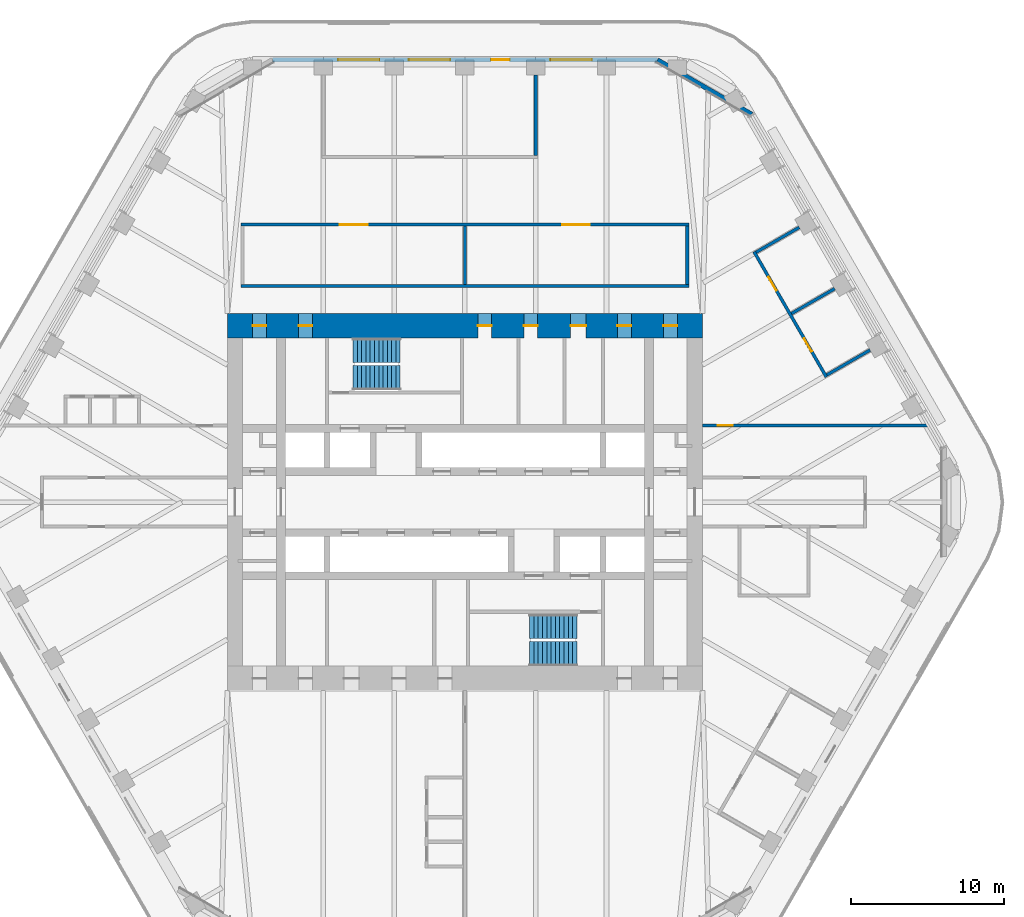
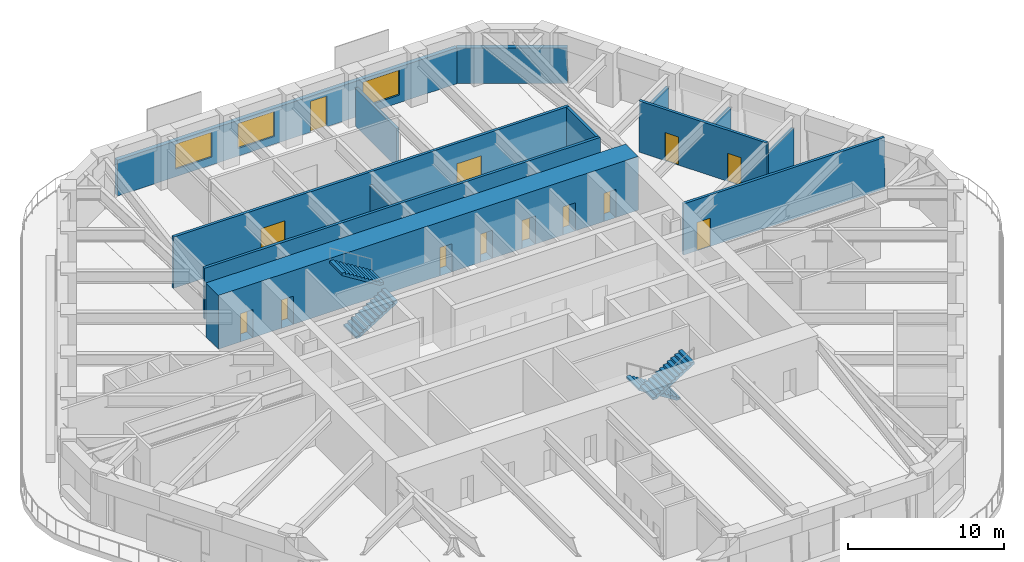
# One storey, part 17 of 20: 13 doors, 13 walls, 4 stair flights, 3 windows, 16 openings, 2 elements without a shape of their own.
"""IFC4 building model written with IfcOpenShell, lengths in metres."""

from ifc_helpers import new_model, si_unit, direction, frame, frame_2d, origin, place, context, subcontext, project, spatial, polyline, rectangle, outline, extrude, material, layer, layer_set, type_object, element, fill, aggregate, save


model = new_model("IFC4")

# Units and contexts
model_context = context("Model", 3, precision=1e-05, world=origin(), true_north=direction((0.0, 1.0)))
body_context = subcontext(model_context, "Body", "Model", "MODEL_VIEW")
ifc_project = project(units=[si_unit("LENGTHUNIT", "METRE"), si_unit("AREAUNIT", "SQUARE_METRE"), si_unit("VOLUMEUNIT", "CUBIC_METRE"), si_unit("PLANEANGLEUNIT", "RADIAN"), si_unit("MASSUNIT", "GRAM", prefix="KILO")], contexts=[model_context])

# Site, building, storey
site_placement = place(None, origin())
site = spatial("IfcSite", under=ifc_project, at=site_placement, CompositionType="ELEMENT")
building_placement = place(site_placement, origin())
building = spatial("IfcBuilding", under=site, at=building_placement, Name="Tarfa Lantern Tower", CompositionType="ELEMENT")
storey_placement = place(building_placement, frame((0.0, 0.0, 270.10009765625)))
storey = spatial("IfcBuildingStorey", under=building, at=storey_placement, Name="L61", CompositionType="ELEMENT", Elevation=270.10009765625)

# Wall
ifc_material_1 = material(Name="Limestone cladding on blockwork", Category="masonry")
ifc_layer_1 = layer(ifc_material_1, 0.300048828125)
ifc_layer_set_1 = layer_set([ifc_layer_1], Name="EW1 STONE-CLAD WALL 300")
wall_type_1 = type_object("IfcWallType", Name="EW1 STONE-CLAD WALL 300", PredefinedType="SOLIDWALL", material=ifc_layer_set_1)
wall_1_placement = place(storey_placement, frame((18.70654296875, 25.299072265625, 0.0), z_axis=(0.0, 0.0, 1.0), x_axis=(-0.866010973379, 0.500024993363, 0.0)))
element("IfcWall", 1, at=wall_1_placement, inside=storey, type_object=wall_type_1, Name="Garden wall NE-N", PredefinedType="SOLIDWALL", context=body_context, shape_type="SweptSolid", body=[
    extrude(rectangle(XDim=7.101806640625, YDim=0.300048828125, at=frame_2d((3.55078125, 0.0))), origin(), (0.0, 0.0, 1.0), 2.7998046875),
])

# Wall, openings, door, windows
wall_2_placement = place(storey_placement, frame((12.556396484375, 28.85009765625, 0.0), z_axis=(0.0, 0.0, 1.0), x_axis=(-1.0, 0.0, 0.0)))
wall_2 = element("IfcWall", 2, at=wall_2_placement, inside=storey, type_object=wall_type_1, Name="Stone wall N", PredefinedType="SOLIDWALL", context=body_context, shape_type="SweptSolid", body=[
    extrude(rectangle(XDim=25.11279296875, YDim=0.300048828125, at=frame_2d((12.556396484375, 0.0))), origin(), (0.0, 0.0, 1.0), 2.7998046875),
])
opening_1_placement = place(wall_2_placement, frame((4.2783203125, 0.0, 0.60009765625)))
opening_1 = element("IfcOpeningElement", 3, at=opening_1_placement, cuts=wall_2, Name="Opening W14", PredefinedType="OPENING", context=body_context, shape_type="SweptSolid", body=[
    extrude(rectangle(XDim=2.699951171875, YDim=1.949951171875, at=frame_2d((1.35009765625, 0.97509765625))), frame((0.0, 0.159912109375, 0.0), z_axis=(0.0, -1.0, 0.0), x_axis=(1.0, 0.0, 0.0)), (0.0, 0.0, 1.0), 0.320068359375),
])
opening_2_placement = place(wall_2_placement, frame((9.64697265625, 0.0, 0.0)))
opening_2 = element("IfcOpeningElement", 4, at=opening_2_placement, cuts=wall_2, Name="Opening D50", PredefinedType="OPENING", context=body_context, shape_type="SweptSolid", body=[
    extrude(rectangle(XDim=1.199951171875, YDim=2.39990234375, at=frame_2d((0.60009765625, 1.199951171875))), frame((0.0, 0.159912109375, 0.0), z_axis=(0.0, -1.0, 0.0), x_axis=(1.0, 0.0, 0.0)), (0.0, 0.0, 1.0), 0.320068359375),
])
opening_3_placement = place(wall_2_placement, frame((13.515869140625, 0.0, 0.60009765625)))
opening_3 = element("IfcOpeningElement", 5, at=opening_3_placement, cuts=wall_2, Name="Opening W14", PredefinedType="OPENING", context=body_context, shape_type="SweptSolid", body=[
    extrude(rectangle(XDim=2.699951171875, YDim=1.949951171875, at=frame_2d((1.35009765625, 0.97509765625))), frame((0.0, 0.159912109375, 0.0), z_axis=(0.0, -1.0, 0.0), x_axis=(1.0, 0.0, 0.0)), (0.0, 0.0, 1.0), 0.320068359375),
])
opening_4_placement = place(wall_2_placement, frame((18.134521484375, 0.0, 0.60009765625)))
opening_4 = element("IfcOpeningElement", 6, at=opening_4_placement, cuts=wall_2, Name="Opening W14", PredefinedType="OPENING", context=body_context, shape_type="SweptSolid", body=[
    extrude(rectangle(XDim=2.699951171875, YDim=1.949951171875, at=frame_2d((1.35009765625, 0.97509765625))), frame((0.0, 0.159912109375, 0.0), z_axis=(0.0, -1.0, 0.0), x_axis=(1.0, 0.0, 0.0)), (0.0, 0.0, 1.0), 0.320068359375),
])
ifc_material_2 = material(Name="Aluminium framed glazed door", Category="aluminium")
door_type_1 = type_object("IfcDoorType", Name="BE3 BALCONY DOOR 1200x2400", OperationType="SINGLE_SWING_RIGHT", PredefinedType="DOOR", material=ifc_material_2)
door_1_placement = place(opening_2_placement, origin())
door_1 = element("IfcDoor", 7, at=door_1_placement, inside=storey, type_object=door_type_1, Name="Balcony door N", OperationType="SINGLE_SWING_RIGHT", OverallHeight=2.39990234375, OverallWidth=1.199951171875, PredefinedType="DOOR", context=body_context, shape_type="SweptSolid", body=[
    extrude(rectangle(XDim=1.199951171875, YDim=2.39990234375, at=frame_2d((0.60009765625, 1.199951171875))), frame((0.0, 0.02490234375, 0.0), z_axis=(0.0, -1.0, 0.0), x_axis=(1.0, 0.0, 0.0)), (0.0, 0.0, 1.0), 0.050048828125),
])
fill(opening_2, door_1)
ifc_material_3 = material(Name="Aluminium frame, double glazed", Category="aluminium")
window_type = type_object("IfcWindowType", Name="W14 FULL-HEIGHT GLAZING 2700x1950", PartitioningType="SINGLE_PANEL", PredefinedType="WINDOW", material=ifc_material_3)
window_1_placement = place(opening_1_placement, origin())
window_1 = element("IfcWindow", 8, at=window_1_placement, inside=storey, type_object=window_type, Name="Window N 2", OverallHeight=1.949951171875, OverallWidth=2.699951171875, PartitioningType="SINGLE_PANEL", PredefinedType="WINDOW", context=body_context, shape_type="SweptSolid", body=[
    extrude(rectangle(XDim=2.699951171875, YDim=1.949951171875, at=frame_2d((1.35009765625, 0.97509765625))), frame((0.0, 0.030029296875, 0.0), z_axis=(0.0, -1.0, 0.0), x_axis=(1.0, 0.0, 0.0)), (0.0, 0.0, 1.0), 0.06005859375),
])
fill(opening_1, window_1)
window_2_placement = place(opening_3_placement, origin())
window_2 = element("IfcWindow", 9, at=window_2_placement, inside=storey, type_object=window_type, Name="Window N 4", OverallHeight=1.949951171875, OverallWidth=2.699951171875, PartitioningType="SINGLE_PANEL", PredefinedType="WINDOW", context=body_context, shape_type="SweptSolid", body=[
    extrude(rectangle(XDim=2.699951171875, YDim=1.949951171875, at=frame_2d((1.35009765625, 0.97509765625))), frame((0.0, 0.030029296875, 0.0), z_axis=(0.0, -1.0, 0.0), x_axis=(1.0, 0.0, 0.0)), (0.0, 0.0, 1.0), 0.06005859375),
])
fill(opening_3, window_2)
window_3_placement = place(opening_4_placement, origin())
window_3 = element("IfcWindow", 10, at=window_3_placement, inside=storey, type_object=window_type, Name="Window N 5", OverallHeight=1.949951171875, OverallWidth=2.699951171875, PartitioningType="SINGLE_PANEL", PredefinedType="WINDOW", context=body_context, shape_type="SweptSolid", body=[
    extrude(rectangle(XDim=2.699951171875, YDim=1.949951171875, at=frame_2d((1.35009765625, 0.97509765625))), frame((0.0, 0.030029296875, 0.0), z_axis=(0.0, -1.0, 0.0), x_axis=(1.0, 0.0, 0.0)), (0.0, 0.0, 1.0), 0.06005859375),
])
fill(opening_4, window_3)

# Wall
ifc_material_4 = material(Name="Gypsum board on steel studs", Category="steel")
ifc_layer_2 = layer(ifc_material_4, 0.2099609375)
ifc_layer_set_2 = layer_set([ifc_layer_2], Name="IW2 ACOUSTIC PARTITION 200")
wall_type_2 = type_object("IfcWallType", Name="IW2 ACOUSTIC PARTITION 200", PredefinedType="PARTITIONING", material=ifc_layer_set_2)
wall_3_placement = place(storey_placement, frame((-14.60009765625, 14.10009765625, 0.0), z_axis=(0.0, 0.0, 1.0), x_axis=(1.0, 0.0, 0.0)))
element("IfcWall", 11, at=wall_3_placement, inside=storey, type_object=wall_type_2, Name="Partition", PredefinedType="PARTITIONING", context=body_context, shape_type="SweptSolid", body=[
    extrude(rectangle(XDim=29.2001953125, YDim=0.199951171875, at=frame_2d((14.60009765625, 0.0))), origin(), (0.0, 0.0, 1.0), 4.0),
])

# Wall, openings, doors
wall_4_placement = place(storey_placement, frame((-14.60009765625, 18.10009765625, 0.0), z_axis=(0.0, 0.0, 1.0), x_axis=(1.0, 0.0, 0.0)))
wall_4 = element("IfcWall", 12, at=wall_4_placement, inside=storey, type_object=wall_type_2, Name="Partition", PredefinedType="PARTITIONING", context=body_context, shape_type="SweptSolid", body=[
    extrude(rectangle(XDim=29.2001953125, YDim=0.199951171875, at=frame_2d((14.60009765625, 0.0))), origin(), (0.0, 0.0, 1.0), 4.0),
])
opening_5_placement = place(wall_4_placement, frame((6.449951171875, 0.0, 0.0)))
opening_5 = element("IfcOpeningElement", 13, at=opening_5_placement, cuts=wall_4, Name="Opening D33", PredefinedType="OPENING", context=body_context, shape_type="SweptSolid", body=[
    extrude(rectangle(XDim=1.800048828125, YDim=2.39990234375, at=frame_2d((0.89990234375, 1.199951171875))), frame((0.0, 0.10986328125, 0.0), z_axis=(0.0, -1.0, 0.0), x_axis=(1.0, 0.0, 0.0)), (0.0, 0.0, 1.0), 0.219970703125),
])
opening_6_placement = place(wall_4_placement, frame((20.949951171875, 0.0, 0.0)))
opening_6 = element("IfcOpeningElement", 14, at=opening_6_placement, cuts=wall_4, Name="Opening D34", PredefinedType="OPENING", context=body_context, shape_type="SweptSolid", body=[
    extrude(rectangle(XDim=1.800048828125, YDim=2.39990234375, at=frame_2d((0.89990234375, 1.199951171875))), frame((0.0, 0.10986328125, 0.0), z_axis=(0.0, -1.0, 0.0), x_axis=(1.0, 0.0, 0.0)), (0.0, 0.0, 1.0), 0.219970703125),
])
ifc_material_5 = material(Name="Timber door", Category="wood")
door_type_2 = type_object("IfcDoorType", Name="DR2 ROOM DOOR 1800x2400", OperationType="DOUBLE_DOOR_SINGLE_SWING", PredefinedType="DOOR", material=ifc_material_5)
door_2_placement = place(opening_5_placement, frame((1.800048828125, 0.0, 0.0), z_axis=(0.0, 0.0, 1.0), x_axis=(-1.0, 0.0, 0.0)))
door_2 = element("IfcDoor", 15, at=door_2_placement, inside=storey, type_object=door_type_2, Name="Data room door", OperationType="DOUBLE_DOOR_SINGLE_SWING", OverallHeight=2.39990234375, OverallWidth=1.800048828125, PredefinedType="DOOR", context=body_context, shape_type="SweptSolid", body=[
    extrude(rectangle(XDim=1.800048828125, YDim=2.39990234375, at=frame_2d((0.89990234375, 1.199951171875))), frame((0.0, 0.02490234375, 0.0), z_axis=(0.0, -1.0, 0.0), x_axis=(1.0, 0.0, 0.0)), (0.0, 0.0, 1.0), 0.050048828125),
])
fill(opening_5, door_2)
door_3_placement = place(opening_6_placement, frame((1.800048828125, 0.0, 0.0), z_axis=(0.0, 0.0, 1.0), x_axis=(-1.0, 0.0, 0.0)))
door_3 = element("IfcDoor", 16, at=door_3_placement, inside=storey, type_object=door_type_2, Name="Meeting room door", OperationType="DOUBLE_DOOR_SINGLE_SWING", OverallHeight=2.39990234375, OverallWidth=1.800048828125, PredefinedType="DOOR", context=body_context, shape_type="SweptSolid", body=[
    extrude(rectangle(XDim=1.800048828125, YDim=2.39990234375, at=frame_2d((0.89990234375, 1.199951171875))), frame((0.0, 0.02490234375, 0.0), z_axis=(0.0, -1.0, 0.0), x_axis=(1.0, 0.0, 0.0)), (0.0, 0.0, 1.0), 0.050048828125),
])
fill(opening_6, door_3)

# Walls
wall_5_placement = place(storey_placement, frame((0.0, 14.199951171875, 0.0), z_axis=(0.0, 0.0, 1.0), x_axis=(0.0, 1.0, 0.0)))
element("IfcWall", 17, at=wall_5_placement, inside=storey, type_object=wall_type_2, Name="Partition", PredefinedType="PARTITIONING", context=body_context, shape_type="SweptSolid", body=[
    extrude(rectangle(XDim=3.800048828125, YDim=0.199951171875, at=frame_2d((1.89990234375, 0.0))), origin(), (0.0, 0.0, 1.0), 2.99169921875),
])
wall_6_placement = place(storey_placement, frame((14.5, 14.199951171875, 0.0), z_axis=(0.0, 0.0, 1.0), x_axis=(0.0, 1.0, 0.0)))
element("IfcWall", 18, at=wall_6_placement, inside=storey, type_object=wall_type_2, Name="Partition", PredefinedType="PARTITIONING", context=body_context, shape_type="SweptSolid", body=[
    extrude(rectangle(XDim=3.800048828125, YDim=0.199951171875, at=frame_2d((1.89990234375, 0.0))), origin(), (0.0, 0.0, 1.0), 4.0),
])
wall_7_placement = place(storey_placement, frame((4.618896484375, 22.60009765625, 0.0), z_axis=(0.0, 0.0, 1.0), x_axis=(0.0, 1.0, 0.0)))
element("IfcWall", 19, at=wall_7_placement, inside=storey, type_object=wall_type_2, Name="Partition", PredefinedType="PARTITIONING", context=body_context, shape_type="SweptSolid", body=[
    extrude(rectangle(XDim=5.25, YDim=0.199951171875, at=frame_2d((2.625, 0.0))), origin(), (0.0, 0.0, 1.0), 2.99169921875),
])

# Wall, openings, doors
wall_8_placement = place(storey_placement, frame((23.576904296875, 8.163330078125, 0.0), z_axis=(0.0, 0.0, 1.0), x_axis=(-0.499989672313, 0.866031366395, 0.0)))
wall_8 = element("IfcWall", 20, at=wall_8_placement, inside=storey, type_object=wall_type_2, Name="Partition", PredefinedType="PARTITIONING", context=body_context, shape_type="SweptSolid", body=[
    extrude(rectangle(XDim=9.437744140625, YDim=0.199951171875, at=frame_2d((4.71875, 0.0))), origin(), (0.0, 0.0, 1.0), 4.0),
])
opening_7_placement = place(wall_8_placement, frame((1.909423828125, 0.0, 0.0)))
opening_7 = element("IfcOpeningElement", 21, at=opening_7_placement, cuts=wall_8, Name="Opening D29", PredefinedType="OPENING", context=body_context, shape_type="SweptSolid", body=[
    extrude(rectangle(XDim=1.0, YDim=2.199951171875, at=frame_2d((0.5, 1.10009765625))), frame((0.0, 0.10986328125, 0.0), z_axis=(0.0, -1.0, 0.0), x_axis=(1.0, 0.0, 0.0)), (0.0, 0.0, 1.0), 0.219970703125),
])
opening_8_placement = place(wall_8_placement, frame((6.5283203125, 0.0, 0.0)))
opening_8 = element("IfcOpeningElement", 22, at=opening_8_placement, cuts=wall_8, Name="Opening D30", PredefinedType="OPENING", context=body_context, shape_type="SweptSolid", body=[
    extrude(rectangle(XDim=1.0, YDim=2.199951171875, at=frame_2d((0.5, 1.10009765625))), frame((0.0, 0.10986328125, 0.0), z_axis=(0.0, -1.0, 0.0), x_axis=(1.0, 0.0, 0.0)), (0.0, 0.0, 1.0), 0.219970703125),
])
door_type_3 = type_object("IfcDoorType", Name="DR1 ROOM DOOR 1000x2200", OperationType="SINGLE_SWING_LEFT", PredefinedType="DOOR", material=ifc_material_5)
door_4_placement = place(opening_7_placement, frame((1.0, 0.0, 0.0), z_axis=(0.0, 0.0, 1.0), x_axis=(-1.0, 0.0, 0.0)))
door_4 = element("IfcDoor", 23, at=door_4_placement, inside=storey, type_object=door_type_3, Name="Interview room door", OperationType="SINGLE_SWING_LEFT", OverallHeight=2.199951171875, OverallWidth=1.0, PredefinedType="DOOR", context=body_context, shape_type="SweptSolid", body=[
    extrude(rectangle(XDim=1.0, YDim=2.199951171875, at=frame_2d((0.5, 1.10009765625))), frame((0.0, 0.02490234375, 0.0), z_axis=(0.0, -1.0, 0.0), x_axis=(1.0, 0.0, 0.0)), (0.0, 0.0, 1.0), 0.050048828125),
])
fill(opening_7, door_4)
door_5_placement = place(opening_8_placement, frame((1.0, 0.0, 0.0), z_axis=(0.0, 0.0, 1.0), x_axis=(-1.0, 0.0, 0.0)))
door_5 = element("IfcDoor", 24, at=door_5_placement, inside=storey, type_object=door_type_3, Name="Interview room door", OperationType="SINGLE_SWING_RIGHT", OverallHeight=2.199951171875, OverallWidth=1.0, PredefinedType="DOOR", context=body_context, shape_type="SweptSolid", body=[
    extrude(rectangle(XDim=1.0, YDim=2.199951171875, at=frame_2d((0.5, 1.10009765625))), frame((0.0, 0.02490234375, 0.0), z_axis=(0.0, -1.0, 0.0), x_axis=(1.0, 0.0, 0.0)), (0.0, 0.0, 1.0), 0.050048828125),
])
fill(opening_8, door_5)

# Walls
for number, where, z_axis, x_axis, name in (
    (25, (23.613525390625, 8.300048828125, 0.0), (0.0, 0.0, 1.0), (0.866034226713, 0.499984717929, 0.0), "Partition"),
    (26, (21.30419921875, 12.300048828125, 0.0), (0.0, 0.0, 1.0), (0.866034226713, 0.499984717929, 0.0), "Partition"),
    (27, (18.994873046875, 16.300048828125, 0.0), (0.0, 0.0, 1.0), (0.866015446554, 0.500017246033, 0.0), "Partition"),
):
    element("IfcWall", number, at=place(storey_placement, frame(where, z_axis=z_axis, x_axis=x_axis)), inside=storey, type_object=wall_type_2, Name=name, PredefinedType="PARTITIONING", context=body_context, shape_type="SweptSolid", body=[
        extrude(rectangle(XDim=3.25, YDim=0.199951171875, at=frame_2d((1.625, 0.0))), origin(), (0.0, 0.0, 1.0), 3.08154296875),
    ])

# Wall, opening, door
wall_9_placement = place(storey_placement, frame((15.5, 5.0, 0.0), z_axis=(0.0, 0.0, 1.0), x_axis=(1.0, 0.0, 0.0)))
wall_9 = element("IfcWall", 28, at=wall_9_placement, inside=storey, type_object=wall_type_2, Name="Partition", PredefinedType="PARTITIONING", context=body_context, shape_type="SweptSolid", body=[
    extrude(rectangle(XDim=14.845458984375, YDim=0.199951171875, at=frame_2d((7.4228515625, 0.0))), origin(), (0.0, 0.0, 1.0), 4.0),
])
opening_9_placement = place(wall_9_placement, frame((0.984619140625, 0.0, 0.0)))
opening_9 = element("IfcOpeningElement", 29, at=opening_9_placement, cuts=wall_9, Name="Opening D47", PredefinedType="OPENING", context=body_context, shape_type="SweptSolid", body=[
    extrude(rectangle(XDim=1.0, YDim=2.199951171875, at=frame_2d((0.5, 1.10009765625))), frame((0.0, 0.10986328125, 0.0), z_axis=(0.0, -1.0, 0.0), x_axis=(1.0, 0.0, 0.0)), (0.0, 0.0, 1.0), 0.219970703125),
])
door_6_placement = place(opening_9_placement, frame((1.0, 0.0, 0.0), z_axis=(0.0, 0.0, 1.0), x_axis=(-1.0, 0.0, 0.0)))
door_6 = element("IfcDoor", 30, at=door_6_placement, inside=storey, type_object=door_type_3, Name="Zone door", OperationType="SINGLE_SWING_LEFT", OverallHeight=2.199951171875, OverallWidth=1.0, PredefinedType="DOOR", context=body_context, shape_type="SweptSolid", body=[
    extrude(rectangle(XDim=1.0, YDim=2.199951171875, at=frame_2d((0.5, 1.10009765625))), frame((0.0, 0.02490234375, 0.0), z_axis=(0.0, -1.0, 0.0), x_axis=(1.0, 0.0, 0.0)), (0.0, 0.0, 1.0), 0.050048828125),
])
fill(opening_9, door_6)

# Wall, openings, doors
ifc_material_6 = material(Name="Concrete C80/95", Category="concrete")
ifc_layer_3 = layer(ifc_material_6, 1.60009765625)
ifc_layer_set_3 = layer_set([ifc_layer_3], Name="SW7 CORE WALL 1600")
wall_type_3 = type_object("IfcWallType", Name="SW7 CORE WALL 1600", PredefinedType="SHEAR", material=ifc_layer_set_3)
wall_10_placement = place(storey_placement, frame((-15.5, 11.5, 0.0), z_axis=(0.0, 0.0, 1.0), x_axis=(1.0, 0.0, 0.0)))
wall_10 = element("IfcWall", 31, at=wall_10_placement, inside=storey, type_object=wall_type_3, Name="Core wall N", PredefinedType="SHEAR", context=body_context, shape_type="SweptSolid", body=[
    extrude(rectangle(XDim=31.0, YDim=1.60009765625, at=frame_2d((15.5, 0.0))), origin(), (0.0, 0.0, 1.0), 4.199951171875),
])
opening_10_placement = place(wall_10_placement, frame((16.35009765625, 0.0, 0.0)))
opening_10 = element("IfcOpeningElement", 32, at=opening_10_placement, cuts=wall_10, Name="Opening D17", PredefinedType="OPENING", context=body_context, shape_type="SweptSolid", body=[
    extrude(rectangle(XDim=0.89990234375, YDim=2.199951171875, at=frame_2d((0.449951171875, 1.10009765625))), frame((0.0, 0.81005859375, 0.0), z_axis=(0.0, -1.0, 0.0), x_axis=(1.0, 0.0, 0.0)), (0.0, 0.0, 1.0), 1.6201171875),
])
opening_11_placement = place(wall_10_placement, frame((19.35009765625, 0.0, 0.0)))
opening_11 = element("IfcOpeningElement", 33, at=opening_11_placement, cuts=wall_10, Name="Opening D19", PredefinedType="OPENING", context=body_context, shape_type="SweptSolid", body=[
    extrude(rectangle(XDim=0.89990234375, YDim=2.199951171875, at=frame_2d((0.449951171875, 1.10009765625))), frame((0.0, 0.81005859375, 0.0), z_axis=(0.0, -1.0, 0.0), x_axis=(1.0, 0.0, 0.0)), (0.0, 0.0, 1.0), 1.6201171875),
])
opening_12_placement = place(wall_10_placement, frame((22.39990234375, 0.0, 0.0)))
opening_12 = element("IfcOpeningElement", 34, at=opening_12_placement, cuts=wall_10, Name="Opening D21", PredefinedType="OPENING", context=body_context, shape_type="SweptSolid", body=[
    extrude(rectangle(XDim=1.0, YDim=2.199951171875, at=frame_2d((0.5, 1.10009765625))), frame((0.0, 0.81005859375, 0.0), z_axis=(0.0, -1.0, 0.0), x_axis=(1.0, 0.0, 0.0)), (0.0, 0.0, 1.0), 1.6201171875),
])
opening_13_placement = place(wall_10_placement, frame((1.64990234375, 0.0, 0.0)))
opening_13 = element("IfcOpeningElement", 35, at=opening_13_placement, cuts=wall_10, Name="Opening D07", PredefinedType="OPENING", context=body_context, shape_type="SweptSolid", body=[
    extrude(rectangle(XDim=0.89990234375, YDim=2.199951171875, at=frame_2d((0.449951171875, 1.10009765625))), frame((0.0, 0.81005859375, 0.0), z_axis=(0.0, -1.0, 0.0), x_axis=(1.0, 0.0, 0.0)), (0.0, 0.0, 1.0), 1.6201171875),
])
opening_14_placement = place(wall_10_placement, frame((4.64990234375, 0.0, 0.0)))
opening_14 = element("IfcOpeningElement", 36, at=opening_14_placement, cuts=wall_10, Name="Opening D05", PredefinedType="OPENING", context=body_context, shape_type="SweptSolid", body=[
    extrude(rectangle(XDim=0.89990234375, YDim=2.199951171875, at=frame_2d((0.449951171875, 1.10009765625))), frame((0.0, 0.81005859375, 0.0), z_axis=(0.0, -1.0, 0.0), x_axis=(1.0, 0.0, 0.0)), (0.0, 0.0, 1.0), 1.6201171875),
])
opening_15_placement = place(wall_10_placement, frame((25.449951171875, 0.0, 0.0)))
opening_15 = element("IfcOpeningElement", 37, at=opening_15_placement, cuts=wall_10, Name="Opening D03", PredefinedType="OPENING", context=body_context, shape_type="SweptSolid", body=[
    extrude(rectangle(XDim=0.89990234375, YDim=2.199951171875, at=frame_2d((0.449951171875, 1.10009765625))), frame((0.0, 0.81005859375, 0.0), z_axis=(0.0, -1.0, 0.0), x_axis=(1.0, 0.0, 0.0)), (0.0, 0.0, 1.0), 1.6201171875),
])
opening_16_placement = place(wall_10_placement, frame((28.449951171875, 0.0, 0.0)))
opening_16 = element("IfcOpeningElement", 38, at=opening_16_placement, cuts=wall_10, Name="Opening D01", PredefinedType="OPENING", context=body_context, shape_type="SweptSolid", body=[
    extrude(rectangle(XDim=0.89990234375, YDim=2.199951171875, at=frame_2d((0.449951171875, 1.10009765625))), frame((0.0, 0.81005859375, 0.0), z_axis=(0.0, -1.0, 0.0), x_axis=(1.0, 0.0, 0.0)), (0.0, 0.0, 1.0), 1.6201171875),
])
ifc_material_7 = material(Name="Steel fire door", Category="steel")
door_type_4 = type_object("IfcDoorType", Name="DF3 CORE ROOM DOOR 900x2200", OperationType="SINGLE_SWING_LEFT", PredefinedType="DOOR", material=ifc_material_7)
door_7_placement = place(opening_10_placement, frame((0.89990234375, 0.0, 0.0), z_axis=(0.0, 0.0, 1.0), x_axis=(-1.0, 0.0, 0.0)))
door_7 = element("IfcDoor", 39, at=door_7_placement, inside=storey, type_object=door_type_4, Name="Core door", OperationType="SINGLE_SWING_LEFT", OverallHeight=2.199951171875, OverallWidth=0.89990234375, PredefinedType="DOOR", context=body_context, shape_type="SweptSolid", body=[
    extrude(rectangle(XDim=0.89990234375, YDim=2.199951171875, at=frame_2d((0.449951171875, 1.10009765625))), frame((0.0, 0.02490234375, 0.0), z_axis=(0.0, -1.0, 0.0), x_axis=(1.0, 0.0, 0.0)), (0.0, 0.0, 1.0), 0.050048828125),
])
fill(opening_10, door_7)
door_8_placement = place(opening_11_placement, frame((0.89990234375, 0.0, 0.0), z_axis=(0.0, 0.0, 1.0), x_axis=(-1.0, 0.0, 0.0)))
door_8 = element("IfcDoor", 40, at=door_8_placement, inside=storey, type_object=door_type_4, Name="Core door", OperationType="SINGLE_SWING_LEFT", OverallHeight=2.199951171875, OverallWidth=0.89990234375, PredefinedType="DOOR", context=body_context, shape_type="SweptSolid", body=[
    extrude(rectangle(XDim=0.89990234375, YDim=2.199951171875, at=frame_2d((0.449951171875, 1.10009765625))), frame((0.0, 0.02490234375, 0.0), z_axis=(0.0, -1.0, 0.0), x_axis=(1.0, 0.0, 0.0)), (0.0, 0.0, 1.0), 0.050048828125),
])
fill(opening_11, door_8)
door_type_5 = type_object("IfcDoorType", Name="DF4 CORE ROOM DOOR 1000x2200", OperationType="SINGLE_SWING_LEFT", PredefinedType="DOOR", material=ifc_material_7)
door_9_placement = place(opening_12_placement, frame((1.0, 0.0, 0.0), z_axis=(0.0, 0.0, 1.0), x_axis=(-1.0, 0.0, 0.0)))
door_9 = element("IfcDoor", 41, at=door_9_placement, inside=storey, type_object=door_type_5, Name="Core door", OperationType="SINGLE_SWING_LEFT", OverallHeight=2.199951171875, OverallWidth=1.0, PredefinedType="DOOR", context=body_context, shape_type="SweptSolid", body=[
    extrude(rectangle(XDim=1.0, YDim=2.199951171875, at=frame_2d((0.5, 1.10009765625))), frame((0.0, 0.02490234375, 0.0), z_axis=(0.0, -1.0, 0.0), x_axis=(1.0, 0.0, 0.0)), (0.0, 0.0, 1.0), 0.050048828125),
])
fill(opening_12, door_9)
door_type_6 = type_object("IfcDoorType", Name="DF5 RISER DOOR 900x2200", OperationType="SINGLE_SWING_LEFT", PredefinedType="DOOR", material=ifc_material_7)
door_10_placement = place(opening_13_placement, frame((0.89990234375, 0.0, 0.0), z_axis=(0.0, 0.0, 1.0), x_axis=(-1.0, 0.0, 0.0)))
door_10 = element("IfcDoor", 42, at=door_10_placement, inside=storey, type_object=door_type_6, Name="Riser door", OperationType="SINGLE_SWING_LEFT", OverallHeight=2.199951171875, OverallWidth=0.89990234375, PredefinedType="DOOR", context=body_context, shape_type="SweptSolid", body=[
    extrude(rectangle(XDim=0.89990234375, YDim=2.199951171875, at=frame_2d((0.449951171875, 1.10009765625))), frame((0.0, 0.02490234375, 0.0), z_axis=(0.0, -1.0, 0.0), x_axis=(1.0, 0.0, 0.0)), (0.0, 0.0, 1.0), 0.050048828125),
])
fill(opening_13, door_10)
door_11_placement = place(opening_14_placement, frame((0.89990234375, 0.0, 0.0), z_axis=(0.0, 0.0, 1.0), x_axis=(-1.0, 0.0, 0.0)))
door_11 = element("IfcDoor", 43, at=door_11_placement, inside=storey, type_object=door_type_6, Name="Riser door", OperationType="SINGLE_SWING_LEFT", OverallHeight=2.199951171875, OverallWidth=0.89990234375, PredefinedType="DOOR", context=body_context, shape_type="SweptSolid", body=[
    extrude(rectangle(XDim=0.89990234375, YDim=2.199951171875, at=frame_2d((0.449951171875, 1.10009765625))), frame((0.0, 0.02490234375, 0.0), z_axis=(0.0, -1.0, 0.0), x_axis=(1.0, 0.0, 0.0)), (0.0, 0.0, 1.0), 0.050048828125),
])
fill(opening_14, door_11)
door_12_placement = place(opening_15_placement, frame((0.89990234375, 0.0, 0.0), z_axis=(0.0, 0.0, 1.0), x_axis=(-1.0, 0.0, 0.0)))
door_12 = element("IfcDoor", 44, at=door_12_placement, inside=storey, type_object=door_type_6, Name="Riser door", OperationType="SINGLE_SWING_RIGHT", OverallHeight=2.199951171875, OverallWidth=0.89990234375, PredefinedType="DOOR", context=body_context, shape_type="SweptSolid", body=[
    extrude(rectangle(XDim=0.89990234375, YDim=2.199951171875, at=frame_2d((0.449951171875, 1.10009765625))), frame((0.0, 0.02490234375, 0.0), z_axis=(0.0, -1.0, 0.0), x_axis=(1.0, 0.0, 0.0)), (0.0, 0.0, 1.0), 0.050048828125),
])
fill(opening_15, door_12)
door_13_placement = place(opening_16_placement, frame((0.89990234375, 0.0, 0.0), z_axis=(0.0, 0.0, 1.0), x_axis=(-1.0, 0.0, 0.0)))
door_13 = element("IfcDoor", 45, at=door_13_placement, inside=storey, type_object=door_type_6, Name="Riser door", OperationType="SINGLE_SWING_RIGHT", OverallHeight=2.199951171875, OverallWidth=0.89990234375, PredefinedType="DOOR", context=body_context, shape_type="SweptSolid", body=[
    extrude(rectangle(XDim=0.89990234375, YDim=2.199951171875, at=frame_2d((0.449951171875, 1.10009765625))), frame((0.0, 0.02490234375, 0.0), z_axis=(0.0, -1.0, 0.0), x_axis=(1.0, 0.0, 0.0)), (0.0, 0.0, 1.0), 0.050048828125),
])
fill(opening_16, door_13)

# Stair, stair flights
ifc_material_8 = material(Name="Concrete C40/50", Category="concrete")
stair_type = type_object("IfcStairType", Name="ST-T10 HALF-TURN STAIR 4200 RISE", PredefinedType="HALF_TURN_STAIR", material=ifc_material_8)
stair_1_placement = place(storey_placement, origin())
stair_1 = element("IfcStair", 46, at=stair_1_placement, inside=storey, type_object=stair_type, Name="Stair ST1", PredefinedType="HALF_TURN_STAIR")
stair_flight_type = type_object("IfcStairFlightType", Name="SF1 STAIR FLIGHT", PredefinedType="STRAIGHT", material=ifc_material_8)
stair_flight_1_placement = place(storey_placement, frame((-7.300048828125, 8.10009765625, 0.0), z_axis=(0.0, 0.0, 1.0), x_axis=(1.0, 0.0, 0.0)))
stair_flight_1 = element("IfcStairFlight", 47, at=stair_flight_1_placement, type_object=stair_flight_type, Name="ST1 flight 1", NumberOfRisers=12, NumberOfTreads=11, PredefinedType="STRAIGHT", RiserHeight=0.175, TreadLength=0.28, context=body_context, shape_type="SweptSolid", body=[
    extrude(outline(polyline([(0.0, 0.0), (0.0, 0.175048828125), (0.280029296875, 0.175048828125), (0.280029296875, 0.35009765625), (0.56005859375, 0.35009765625), (0.56005859375, 0.52490234375), (0.840087890625, 0.52490234375), (0.840087890625, 0.699951171875), (1.1201171875, 0.699951171875), (1.1201171875, 0.875), (1.39990234375, 0.875), (1.39990234375, 1.050048828125), (1.679931640625, 1.050048828125), (1.679931640625, 1.22509765625), (1.9599609375, 1.22509765625), (1.9599609375, 1.39990234375), (2.239990234375, 1.39990234375), (2.239990234375, 1.574951171875), (2.52001953125, 1.574951171875), (2.52001953125, 1.75), (2.800048828125, 1.75), (2.800048828125, 1.925048828125), (3.080078125, 1.925048828125), (3.080078125, 2.10009765625), (3.080078125, 1.748291015625), (0.28271484375, 0.0), (0.0, 0.0)])), frame((0.0, 0.800048828125, 0.0), z_axis=(0.0, -1.0, 0.0), x_axis=(1.0, 0.0, 0.0)), (0.0, 0.0, 1.0), 1.60009765625),
])
stair_flight_2_placement = place(storey_placement, frame((-4.219970703125, 9.89990234375, 2.099853515625), z_axis=(0.0, 0.0, 1.0), x_axis=(-1.0, 0.0, 0.0)))
stair_flight_2 = element("IfcStairFlight", 48, at=stair_flight_2_placement, type_object=stair_flight_type, Name="ST1 flight 2", NumberOfRisers=12, NumberOfTreads=11, PredefinedType="STRAIGHT", RiserHeight=0.175, TreadLength=0.28, context=body_context, shape_type="SweptSolid", body=[
    extrude(outline(polyline([(0.0, 0.0), (0.0, 0.175048828125), (0.280029296875, 0.175048828125), (0.280029296875, 0.35009765625), (0.56005859375, 0.35009765625), (0.56005859375, 0.52490234375), (0.840087890625, 0.52490234375), (0.840087890625, 0.699951171875), (1.1201171875, 0.699951171875), (1.1201171875, 0.875), (1.39990234375, 0.875), (1.39990234375, 1.050048828125), (1.679931640625, 1.050048828125), (1.679931640625, 1.22509765625), (1.9599609375, 1.22509765625), (1.9599609375, 1.39990234375), (2.239990234375, 1.39990234375), (2.239990234375, 1.574951171875), (2.52001953125, 1.574951171875), (2.52001953125, 1.75), (2.800048828125, 1.75), (2.800048828125, 1.925048828125), (3.080078125, 1.925048828125), (3.080078125, 2.10009765625), (3.080078125, 1.748291015625), (0.28271484375, 0.0), (0.0, 0.0)])), frame((0.0, 0.800048828125, 0.0), z_axis=(0.0, -1.0, 0.0), x_axis=(1.0, 0.0, 0.0)), (0.0, 0.0, 1.0), 1.60009765625),
])
aggregate(stair_1, [stair_flight_1, stair_flight_2])

stair_2_placement = place(storey_placement, origin())
stair_2 = element("IfcStair", 49, at=stair_2_placement, inside=storey, type_object=stair_type, Name="Stair ST2", PredefinedType="HALF_TURN_STAIR")
stair_flight_3_placement = place(storey_placement, frame((7.300048828125, -8.10009765625, 0.0), z_axis=(0.0, 0.0, 1.0), x_axis=(-1.0, 0.0, 0.0)))
stair_flight_3 = element("IfcStairFlight", 50, at=stair_flight_3_placement, type_object=stair_flight_type, Name="ST2 flight 1", NumberOfRisers=12, NumberOfTreads=11, PredefinedType="STRAIGHT", RiserHeight=0.175, TreadLength=0.28, context=body_context, shape_type="SweptSolid", body=[
    extrude(outline(polyline([(0.0, 0.0), (0.0, 0.175048828125), (0.280029296875, 0.175048828125), (0.280029296875, 0.35009765625), (0.56005859375, 0.35009765625), (0.56005859375, 0.52490234375), (0.840087890625, 0.52490234375), (0.840087890625, 0.699951171875), (1.1201171875, 0.699951171875), (1.1201171875, 0.875), (1.39990234375, 0.875), (1.39990234375, 1.050048828125), (1.679931640625, 1.050048828125), (1.679931640625, 1.22509765625), (1.9599609375, 1.22509765625), (1.9599609375, 1.39990234375), (2.239990234375, 1.39990234375), (2.239990234375, 1.574951171875), (2.52001953125, 1.574951171875), (2.52001953125, 1.75), (2.800048828125, 1.75), (2.800048828125, 1.925048828125), (3.080078125, 1.925048828125), (3.080078125, 2.10009765625), (3.080078125, 1.748291015625), (0.28271484375, 0.0), (0.0, 0.0)])), frame((0.0, 0.800048828125, 0.0), z_axis=(0.0, -1.0, 0.0), x_axis=(1.0, 0.0, 0.0)), (0.0, 0.0, 1.0), 1.60009765625),
])
stair_flight_4_placement = place(storey_placement, frame((4.219970703125, -9.89990234375, 2.099853515625), z_axis=(0.0, 0.0, 1.0), x_axis=(1.0, 0.0, 0.0)))
stair_flight_4 = element("IfcStairFlight", 51, at=stair_flight_4_placement, type_object=stair_flight_type, Name="ST2 flight 2", NumberOfRisers=12, NumberOfTreads=11, PredefinedType="STRAIGHT", RiserHeight=0.175, TreadLength=0.28, context=body_context, shape_type="SweptSolid", body=[
    extrude(outline(polyline([(0.0, 0.0), (0.0, 0.175048828125), (0.280029296875, 0.175048828125), (0.280029296875, 0.35009765625), (0.56005859375, 0.35009765625), (0.56005859375, 0.52490234375), (0.840087890625, 0.52490234375), (0.840087890625, 0.699951171875), (1.1201171875, 0.699951171875), (1.1201171875, 0.875), (1.39990234375, 0.875), (1.39990234375, 1.050048828125), (1.679931640625, 1.050048828125), (1.679931640625, 1.22509765625), (1.9599609375, 1.22509765625), (1.9599609375, 1.39990234375), (2.239990234375, 1.39990234375), (2.239990234375, 1.574951171875), (2.52001953125, 1.574951171875), (2.52001953125, 1.75), (2.800048828125, 1.75), (2.800048828125, 1.925048828125), (3.080078125, 1.925048828125), (3.080078125, 2.10009765625), (3.080078125, 1.748291015625), (0.28271484375, 0.0), (0.0, 0.0)])), frame((0.0, 0.800048828125, 0.0), z_axis=(0.0, -1.0, 0.0), x_axis=(1.0, 0.0, 0.0)), (0.0, 0.0, 1.0), 1.60009765625),
])
aggregate(stair_2, [stair_flight_3, stair_flight_4])

save(model, "model.ifc")
